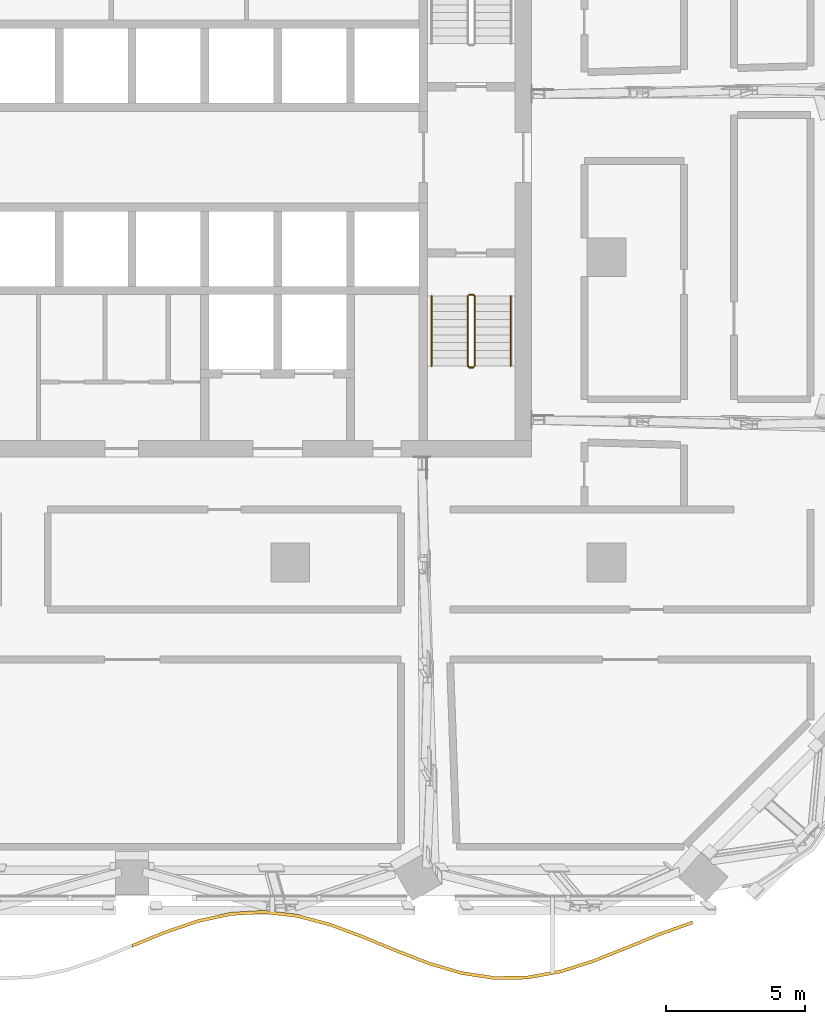
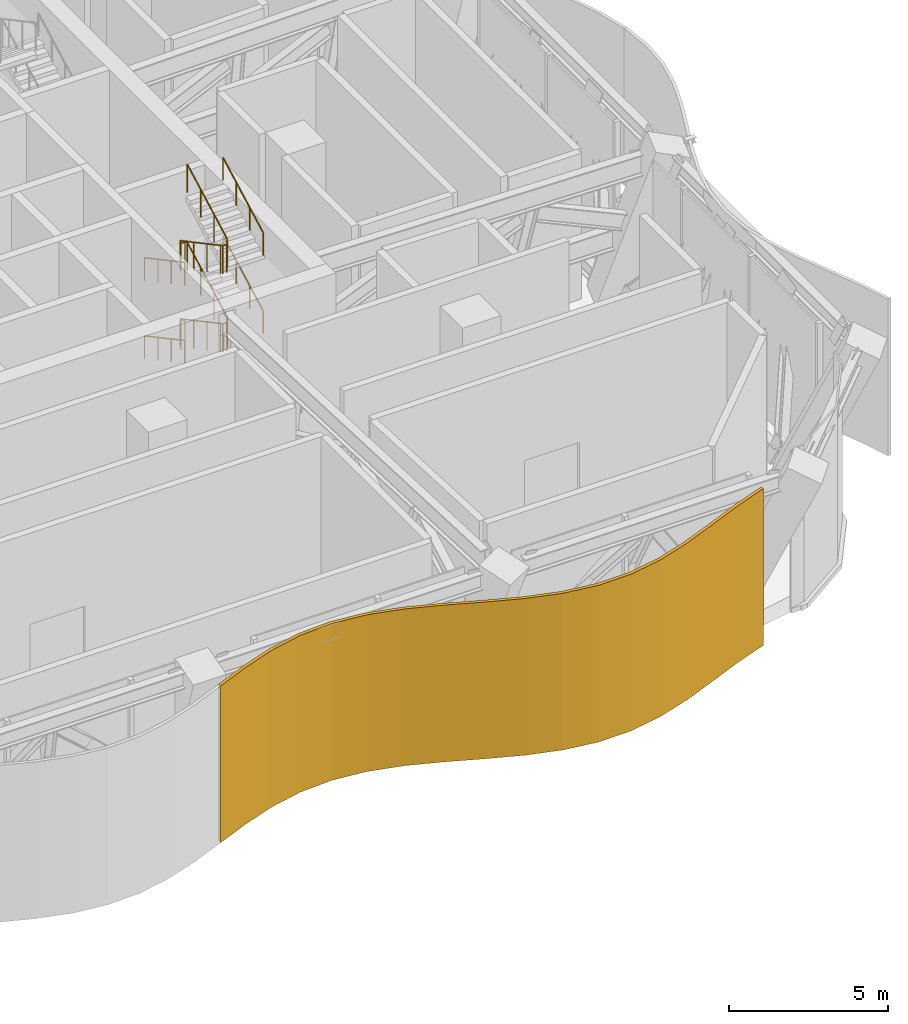
# One storey, part 22 of 26: 9 railings, 1 shading device.
"""IFC4 building model written with IfcOpenShell, lengths in metres."""

from ifc_helpers import new_model, si_unit, direction, frame, origin, origin_2d, place, context, subcontext, project, spatial, polyline, circle, outline, extrude, material, layer, layer_set, type_object, element, save


model = new_model("IFC4")

# Units and contexts
model_context = context("Model", 3, precision=1e-05, world=origin(), true_north=direction((0.0, 1.0)))
body_context = subcontext(model_context, "Body", "Model", "MODEL_VIEW")
ifc_project = project(units=[si_unit("LENGTHUNIT", "METRE"), si_unit("AREAUNIT", "SQUARE_METRE"), si_unit("VOLUMEUNIT", "CUBIC_METRE"), si_unit("PLANEANGLEUNIT", "RADIAN"), si_unit("MASSUNIT", "GRAM", prefix="KILO")], contexts=[model_context])

# Site, building, storey
site_placement = place(None, origin())
site = spatial("IfcSite", under=ifc_project, at=site_placement, CompositionType="ELEMENT")
building_placement = place(site_placement, origin())
building = spatial("IfcBuilding", under=site, at=building_placement, Name="Mopane Tessera Tower", CompositionType="ELEMENT")
storey_placement = place(building_placement, frame((0.0, 0.0, 205.0)))
storey = spatial("IfcBuildingStorey", under=building, at=storey_placement, Name="L43", CompositionType="ELEMENT", Elevation=205.0)

# Railings
ifc_material_1 = material(Name="Powder-coated steel balustrade", Category="steel")
railing_type_1 = type_object("IfcRailingType", Name="Escape stair guard 1100 mm", PredefinedType="GUARDRAIL", material=ifc_material_1)
railing_1_placement = place(storey_placement, frame((12.10009765625, -1.39990234375, 0.14990234375)))
element("IfcRailing", 1, at=railing_1_placement, inside=storey, type_object=railing_type_1, Name="L43 ST3 stair guard 1", PredefinedType="GUARDRAIL", context=body_context, shape_type="SweptSolid", body=[
    extrude(circle(Radius=0.02392578125, at=origin_2d()), frame((0.0, 0.0, 1.076171875), z_axis=(0.0, -0.881467274426, 0.472245110209), x_axis=(1.0, 0.0, 0.0)), (0.0, 0.0, 1.0), 2.85888671875),
    extrude(circle(Radius=0.02392578125, at=origin_2d()), frame((0.0, -2.52001953125, 2.42626953125), z_axis=(0.705375805398, -0.708833529934, 0.0), x_axis=(0.708833529934, 0.705375805398, 0.0)), (0.0, 0.0, 1.0), 0.070556640625),
    extrude(circle(Radius=0.02392578125, at=origin_2d()), frame((0.0498046875, -2.570068359375, 2.42626953125), z_axis=(1.0, 0.0, 0.0), x_axis=(0.0, 1.0, 0.0)), (0.0, 0.0, 1.0), 0.150146484375),
    extrude(circle(Radius=0.02099609375, at=origin_2d()), origin(), (0.0, 0.0, 1.0), 1.052001953125),
    extrude(circle(Radius=0.02099609375, at=origin_2d()), frame((0.0, -0.840087890625, 0.449951171875)), (0.0, 0.0, 1.0), 1.052001953125),
    extrude(circle(Radius=0.02099609375, at=origin_2d()), frame((0.0, -1.679931640625, 0.900146484375)), (0.0, 0.0, 1.0), 1.052001953125),
    extrude(circle(Radius=0.02099609375, at=origin_2d()), frame((0.0, -2.52001953125, 1.35009765625)), (0.0, 0.0, 1.0), 1.052001953125),
    extrude(circle(Radius=0.02099609375, at=origin_2d()), frame((0.0498046875, -2.570068359375, 1.35009765625)), (0.0, 0.0, 1.0), 1.052001953125),
    extrude(circle(Radius=0.02099609375, at=origin_2d()), frame((0.199951171875, -2.570068359375, 1.35009765625)), (0.0, 0.0, 1.0), 1.052001953125),
])
railing_2_placement = place(storey_placement, frame((12.35009765625, -3.919921875, 1.64990234375)))
element("IfcRailing", 2, at=railing_2_placement, inside=storey, type_object=railing_type_1, Name="L43 ST3 stair guard 2", PredefinedType="GUARDRAIL", context=body_context, shape_type="SweptSolid", body=[
    extrude(circle(Radius=0.02392578125, at=origin_2d()), frame((0.0, 0.0, 1.076171875), z_axis=(0.0, 0.881467274426, 0.472245110209), x_axis=(-1.0, 0.0, 0.0)), (0.0, 0.0, 1.0), 2.85888671875),
    extrude(circle(Radius=0.02392578125, at=origin_2d()), frame((0.0, 2.52001953125, 2.42626953125), z_axis=(-0.708833529934, 0.705375805398, 0.0), x_axis=(-0.705375805398, -0.708833529934, 0.0)), (0.0, 0.0, 1.0), 0.070556640625),
    extrude(circle(Radius=0.02392578125, at=origin_2d()), frame((-0.050048828125, 2.56982421875, 2.42626953125), z_axis=(-1.0, 0.0, 0.0), x_axis=(0.0, -1.0, 0.0)), (0.0, 0.0, 1.0), 0.150146484375),
    extrude(circle(Radius=0.02099609375, at=origin_2d()), origin(), (0.0, 0.0, 1.0), 1.052001953125),
    extrude(circle(Radius=0.02099609375, at=origin_2d()), frame((0.0, 0.840087890625, 0.449951171875)), (0.0, 0.0, 1.0), 1.052001953125),
    extrude(circle(Radius=0.02099609375, at=origin_2d()), frame((0.0, 1.679931640625, 0.900146484375)), (0.0, 0.0, 1.0), 1.052001953125),
    extrude(circle(Radius=0.02099609375, at=origin_2d()), frame((0.0, 2.52001953125, 1.35009765625)), (0.0, 0.0, 1.0), 1.052001953125),
    extrude(circle(Radius=0.02099609375, at=origin_2d()), frame((-0.050048828125, 2.56982421875, 1.35009765625)), (0.0, 0.0, 1.0), 1.052001953125),
    extrude(circle(Radius=0.02099609375, at=origin_2d()), frame((-0.2001953125, 2.56982421875, 1.35009765625)), (0.0, 0.0, 1.0), 1.052001953125),
])
railing_3_placement = place(storey_placement, frame((12.10009765625, -1.39990234375, 3.14990234375)))
element("IfcRailing", 3, at=railing_3_placement, inside=storey, type_object=railing_type_1, Name="L43 ST3 stair guard 3", PredefinedType="GUARDRAIL", context=body_context, shape_type="SweptSolid", body=[
    extrude(circle(Radius=0.02392578125, at=origin_2d()), frame((0.0, 0.0, 1.076171875), z_axis=(0.0, -0.881467274426, 0.472245110209), x_axis=(1.0, 0.0, 0.0)), (0.0, 0.0, 1.0), 2.85888671875),
    extrude(circle(Radius=0.02392578125, at=origin_2d()), frame((0.0, -2.52001953125, 2.42626953125), z_axis=(0.705375805398, -0.708833529934, 0.0), x_axis=(0.708833529934, 0.705375805398, 0.0)), (0.0, 0.0, 1.0), 0.070556640625),
    extrude(circle(Radius=0.02392578125, at=origin_2d()), frame((0.0498046875, -2.570068359375, 2.42626953125), z_axis=(1.0, 0.0, 0.0), x_axis=(0.0, 1.0, 0.0)), (0.0, 0.0, 1.0), 0.150146484375),
    extrude(circle(Radius=0.02099609375, at=origin_2d()), origin(), (0.0, 0.0, 1.0), 1.052001953125),
    extrude(circle(Radius=0.02099609375, at=origin_2d()), frame((0.0, -0.840087890625, 0.449951171875)), (0.0, 0.0, 1.0), 1.052001953125),
    extrude(circle(Radius=0.02099609375, at=origin_2d()), frame((0.0, -1.679931640625, 0.900146484375)), (0.0, 0.0, 1.0), 1.052001953125),
    extrude(circle(Radius=0.02099609375, at=origin_2d()), frame((0.0, -2.52001953125, 1.35009765625)), (0.0, 0.0, 1.0), 1.052001953125),
    extrude(circle(Radius=0.02099609375, at=origin_2d()), frame((0.0498046875, -2.570068359375, 1.35009765625)), (0.0, 0.0, 1.0), 1.052001953125),
    extrude(circle(Radius=0.02099609375, at=origin_2d()), frame((0.199951171875, -2.570068359375, 1.35009765625)), (0.0, 0.0, 1.0), 1.052001953125),
])
railing_4_placement = place(storey_placement, frame((12.35009765625, -3.919921875, 4.64990234375)))
element("IfcRailing", 4, at=railing_4_placement, inside=storey, type_object=railing_type_1, Name="L43 ST3 stair guard 4", PredefinedType="GUARDRAIL", context=body_context, shape_type="SweptSolid", body=[
    extrude(circle(Radius=0.02392578125, at=origin_2d()), frame((0.0, 0.0, 1.076171875), z_axis=(0.0, 0.881467274426, 0.472245110209), x_axis=(-1.0, 0.0, 0.0)), (0.0, 0.0, 1.0), 2.85888671875),
    extrude(circle(Radius=0.02099609375, at=origin_2d()), origin(), (0.0, 0.0, 1.0), 1.052001953125),
    extrude(circle(Radius=0.02099609375, at=origin_2d()), frame((0.0, 0.840087890625, 0.449951171875)), (0.0, 0.0, 1.0), 1.052001953125),
    extrude(circle(Radius=0.02099609375, at=origin_2d()), frame((0.0, 1.679931640625, 0.900146484375)), (0.0, 0.0, 1.0), 1.052001953125),
    extrude(circle(Radius=0.02099609375, at=origin_2d()), frame((0.0, 2.52001953125, 1.35009765625)), (0.0, 0.0, 1.0), 1.052001953125),
])
railing_5_placement = place(storey_placement, frame((12.14990234375, -1.35009765625, 0.0)))
element("IfcRailing", 5, at=railing_5_placement, inside=storey, type_object=railing_type_1, Name="L43 ST3 stair guard 5", PredefinedType="GUARDRAIL", context=body_context, shape_type="SweptSolid", body=[
    extrude(circle(Radius=0.02392578125, at=origin_2d()), frame((0.0, 0.0, 1.076171875), z_axis=(1.0, 0.0, 0.0), x_axis=(0.0, 1.0, 0.0)), (0.0, 0.0, 1.0), 0.150146484375),
    extrude(circle(Radius=0.02099609375, at=origin_2d()), origin(), (0.0, 0.0, 1.0), 1.052001953125),
    extrude(circle(Radius=0.02099609375, at=origin_2d()), frame((0.150146484375, 0.0, 0.0)), (0.0, 0.0, 1.0), 1.052001953125),
])
ifc_material_2 = material(Name="Powder-coated steel balustrade", Category="steel")
railing_type_2 = type_object("IfcRailingType", Name="Escape stair handrail 900 mm", PredefinedType="HANDRAIL", material=ifc_material_2)
railing_6_placement = place(storey_placement, frame((10.800048828125, -1.39990234375, 0.14990234375)))
element("IfcRailing", 6, at=railing_6_placement, inside=storey, type_object=railing_type_2, Name="L43 ST3 stair handrail 1", PredefinedType="HANDRAIL", context=body_context, shape_type="SweptSolid", body=[
    extrude(circle(Radius=0.02392578125, at=origin_2d()), frame((0.0, 0.0, 0.8759765625), z_axis=(0.0, -0.881467274426, 0.472245110209), x_axis=(1.0, 0.0, 0.0)), (0.0, 0.0, 1.0), 2.85888671875),
    extrude(circle(Radius=0.02099609375, at=origin_2d()), origin(), (0.0, 0.0, 1.0), 0.851806640625),
    extrude(circle(Radius=0.02099609375, at=origin_2d()), frame((0.0, -0.840087890625, 0.449951171875)), (0.0, 0.0, 1.0), 0.851806640625),
    extrude(circle(Radius=0.02099609375, at=origin_2d()), frame((0.0, -1.679931640625, 0.900146484375)), (0.0, 0.0, 1.0), 0.851806640625),
    extrude(circle(Radius=0.02099609375, at=origin_2d()), frame((0.0, -2.52001953125, 1.35009765625)), (0.0, 0.0, 1.0), 0.851806640625),
])
railing_7_placement = place(storey_placement, frame((13.64990234375, -3.919921875, 1.64990234375)))
element("IfcRailing", 7, at=railing_7_placement, inside=storey, type_object=railing_type_2, Name="L43 ST3 stair handrail 2", PredefinedType="HANDRAIL", context=body_context, shape_type="SweptSolid", body=[
    extrude(circle(Radius=0.02392578125, at=origin_2d()), frame((0.0, 0.0, 0.8759765625), z_axis=(0.0, 0.881467274426, 0.472245110209), x_axis=(-1.0, 0.0, 0.0)), (0.0, 0.0, 1.0), 2.85888671875),
    extrude(circle(Radius=0.02099609375, at=origin_2d()), origin(), (0.0, 0.0, 1.0), 0.851806640625),
    extrude(circle(Radius=0.02099609375, at=origin_2d()), frame((0.0, 0.840087890625, 0.449951171875)), (0.0, 0.0, 1.0), 0.851806640625),
    extrude(circle(Radius=0.02099609375, at=origin_2d()), frame((0.0, 1.679931640625, 0.900146484375)), (0.0, 0.0, 1.0), 0.851806640625),
    extrude(circle(Radius=0.02099609375, at=origin_2d()), frame((0.0, 2.52001953125, 1.35009765625)), (0.0, 0.0, 1.0), 0.851806640625),
])
railing_8_placement = place(storey_placement, frame((10.800048828125, -1.39990234375, 3.14990234375)))
element("IfcRailing", 8, at=railing_8_placement, inside=storey, type_object=railing_type_2, Name="L43 ST3 stair handrail 3", PredefinedType="HANDRAIL", context=body_context, shape_type="SweptSolid", body=[
    extrude(circle(Radius=0.02392578125, at=origin_2d()), frame((0.0, 0.0, 0.8759765625), z_axis=(0.0, -0.881467274426, 0.472245110209), x_axis=(1.0, 0.0, 0.0)), (0.0, 0.0, 1.0), 2.85888671875),
    extrude(circle(Radius=0.02099609375, at=origin_2d()), origin(), (0.0, 0.0, 1.0), 0.851806640625),
    extrude(circle(Radius=0.02099609375, at=origin_2d()), frame((0.0, -0.840087890625, 0.449951171875)), (0.0, 0.0, 1.0), 0.851806640625),
    extrude(circle(Radius=0.02099609375, at=origin_2d()), frame((0.0, -1.679931640625, 0.900146484375)), (0.0, 0.0, 1.0), 0.851806640625),
    extrude(circle(Radius=0.02099609375, at=origin_2d()), frame((0.0, -2.52001953125, 1.35009765625)), (0.0, 0.0, 1.0), 0.851806640625),
])
railing_9_placement = place(storey_placement, frame((13.64990234375, -3.919921875, 4.64990234375)))
element("IfcRailing", 9, at=railing_9_placement, inside=storey, type_object=railing_type_2, Name="L43 ST3 stair handrail 4", PredefinedType="HANDRAIL", context=body_context, shape_type="SweptSolid", body=[
    extrude(circle(Radius=0.02392578125, at=origin_2d()), frame((0.0, 0.0, 0.8759765625), z_axis=(0.0, 0.881467274426, 0.472245110209), x_axis=(-1.0, 0.0, 0.0)), (0.0, 0.0, 1.0), 2.85888671875),
    extrude(circle(Radius=0.02099609375, at=origin_2d()), origin(), (0.0, 0.0, 1.0), 0.851806640625),
    extrude(circle(Radius=0.02099609375, at=origin_2d()), frame((0.0, 0.840087890625, 0.449951171875)), (0.0, 0.0, 1.0), 0.851806640625),
    extrude(circle(Radius=0.02099609375, at=origin_2d()), frame((0.0, 1.679931640625, 0.900146484375)), (0.0, 0.0, 1.0), 0.851806640625),
    extrude(circle(Radius=0.02099609375, at=origin_2d()), frame((0.0, 2.52001953125, 1.35009765625)), (0.0, 0.0, 1.0), 0.851806640625),
])

# Shading device
ifc_material_3 = material(Name="Anodised aluminium louvre blades", Category="aluminium")
ifc_layer = layer(ifc_material_3, 0.1201171875)
ifc_layer_set = layer_set([ifc_layer], Name="Anodised aluminium louvre blades")
shading_device_type = type_object("IfcShadingDeviceType", Name="Wave louvre screen", PredefinedType="JALOUSIE", material=ifc_layer_set)
shading_device_placement = place(storey_placement, frame((0.0, 0.0, -0.419921875)))
element("IfcShadingDevice", 10, at=shading_device_placement, inside=storey, type_object=shading_device_type, Name="e:lv:L43:S:1", PredefinedType="JALOUSIE", context=body_context, shape_type="SweptSolid", body=[
    extrude(outline(polyline([(0.0, -24.760986328125), (1.188232421875, -24.275634765625), (2.37646484375, -23.869140625), (3.564697265625, -23.6103515625), (4.7529296875, -23.54296875), (5.941162109375, -23.6787109375), (7.12939453125, -23.994384765625), (8.317626953125, -24.4365234375), (9.505859375, -24.93017578125), (10.694091796875, -25.3916015625), (11.88232421875, -25.742431640625), (13.070556640625, -25.92333984375), (14.2587890625, -25.903564453125), (15.447021484375, -25.686279296875), (16.63525390625, -25.308837890625), (17.823486328125, -24.834716796875), (19.01171875, -24.3447265625), (20.199951171875, -23.921630859375), (20.199951171875, -24.04150390625), (19.01171875, -24.464599609375), (17.823486328125, -24.954833984375), (16.63525390625, -25.4287109375), (15.447021484375, -25.806396484375), (14.2587890625, -26.0234375), (13.070556640625, -26.043212890625), (11.88232421875, -25.8623046875), (10.694091796875, -25.511474609375), (9.505859375, -25.050048828125), (8.317626953125, -24.556640625), (7.12939453125, -24.114501953125), (5.941162109375, -23.798828125), (4.7529296875, -23.6630859375), (3.564697265625, -23.730224609375), (2.37646484375, -23.989013671875), (1.188232421875, -24.395751953125), (0.0, -24.880859375), (0.0, -24.760986328125)])), origin(), (0.0, 0.0, 1.0), 6.02001953125),
])

save(model, "model.ifc")
